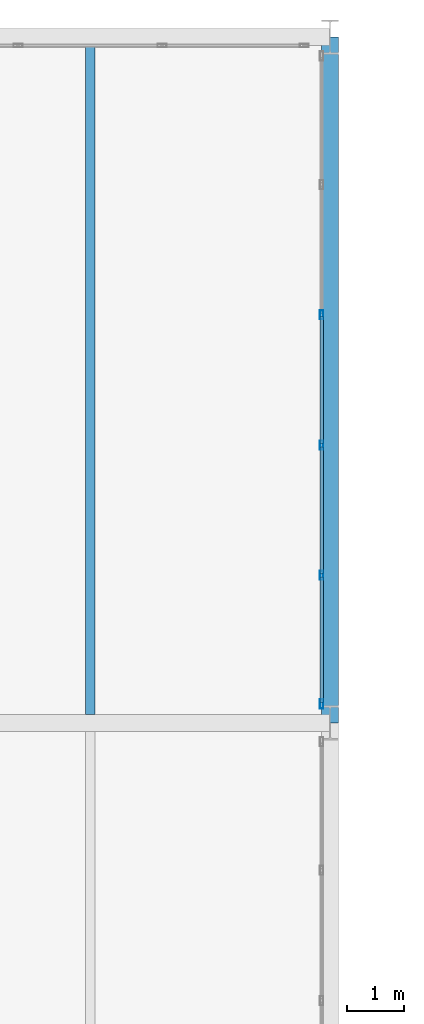
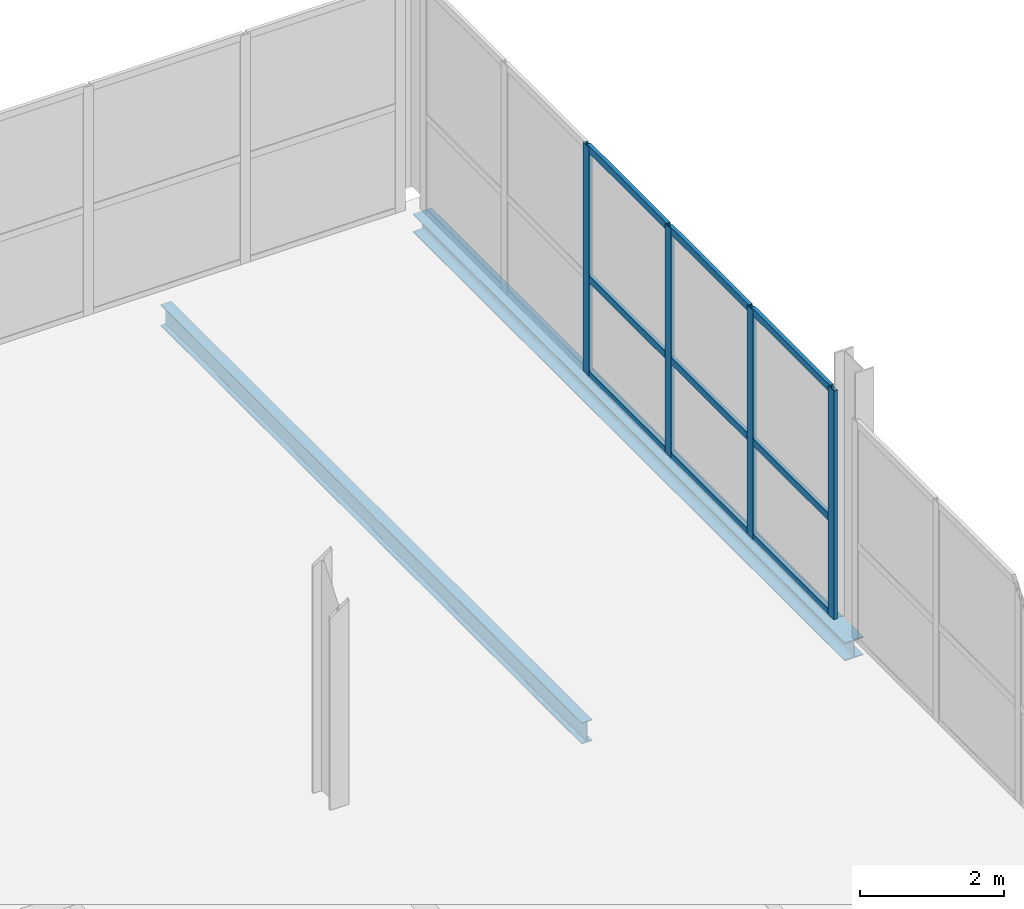
# One storey, part 59 of 109: 13 members, 2 beams, 1 element without a shape of its own.
"""IFC4 building model written with IfcOpenShell, lengths in metres."""

from ifc_helpers import new_model, si_unit, direction, frame, origin, origin_2d, place, context, subcontext, project, spatial, hollow_rectangle, i_section, extrude, material, material_profile, profile_set, type_object, element, aggregate, save


model = new_model("IFC4")

# Units and contexts
model_context = context("Model", 3, precision=1e-05, world=origin(), true_north=direction((0.0, 1.0)))
body_context = subcontext(model_context, "Body", "Model", "MODEL_VIEW")
ifc_project = project(units=[si_unit("LENGTHUNIT", "METRE"), si_unit("AREAUNIT", "SQUARE_METRE"), si_unit("VOLUMEUNIT", "CUBIC_METRE"), si_unit("PLANEANGLEUNIT", "RADIAN"), si_unit("MASSUNIT", "GRAM", prefix="KILO")], contexts=[model_context])

# Site, building, storey
site_placement = place(None, origin())
site = spatial("IfcSite", under=ifc_project, at=site_placement, CompositionType="ELEMENT")
building_placement = place(site_placement, origin())
building = spatial("IfcBuilding", under=site, at=building_placement, Name="Veltarok Museum of Natural Sciences", CompositionType="ELEMENT")
storey_placement = place(building_placement, frame((0.0, 0.0, 17.39990234375)))
storey = spatial("IfcBuildingStorey", under=building, at=storey_placement, Name="L03", CompositionType="ELEMENT", Elevation=17.39990234375)

# Curtain wall, members
ifc_material_1 = material(Name="Low-iron triple insulated glass", Category="glass")
curtain_wall_type = type_object("IfcCurtainWallType", Name="Curtain Wall System CW-V2E-L03-0-1140x388 (CW-V2E L03 1140x388cm)", PredefinedType="NOTDEFINED", material=ifc_material_1)
curtain_wall_placement = place(storey_placement, origin())
curtain_wall = element("IfcCurtainWall", 1, at=curtain_wall_placement, inside=storey, type_object=curtain_wall_type, Name="Curtain Wall CW-V2E-L03-0-1140x388 CW-0136", PredefinedType="NOTDEFINED")
ifc_material_2 = material(Name="Thermally broken anodised aluminium", Category="aluminium")
ifc_material_profile_1 = material_profile(ifc_material_2, hollow_rectangle(XDim=0.06005859375, YDim=0.1201171875, WallThickness=0.0048828125, at=origin_2d()), Name="CW TRANSOM 60x120x5")
ifc_profile_set_1 = profile_set([ifc_material_profile_1], Name="Thermally broken anodised aluminium")
member_type_1 = type_object("IfcMemberType", Name="Curtain Wall Horizontal Transom 60x120x5", PredefinedType="USERDEFINED", material=ifc_profile_set_1)
member_1_placement = place(storey_placement, frame((98.64990234375, 60.360107421875, 0.028076171875), z_axis=(0.0, 1.0, 0.0), x_axis=(-1.0, 0.0, 0.0)))
member_1 = element("IfcMember", 2, at=member_1_placement, type_object=member_type_1, Name="CW-V2E-L03-0-1140x388 transom 1.1", ObjectType="TRANSOM", PredefinedType="USERDEFINED", context=body_context, shape_type="SweptSolid", body=[
    extrude(hollow_rectangle(XDim=0.06005859375, YDim=0.1201171875, WallThickness=0.0048828125, at=origin_2d()), origin(), (0.0, 0.0, 1.0), 2.18994140625),
])
member_2_placement = place(storey_placement, frame((98.64990234375, 60.360107421875, 1.648193359375), z_axis=(0.0, 1.0, 0.0), x_axis=(-1.0, 0.0, 0.0)))
member_2 = element("IfcMember", 3, at=member_2_placement, type_object=member_type_1, Name="CW-V2E-L03-0-1140x388 transom 1.2", ObjectType="TRANSOM", PredefinedType="USERDEFINED", context=body_context, shape_type="SweptSolid", body=[
    extrude(hollow_rectangle(XDim=0.06005859375, YDim=0.1201171875, WallThickness=0.0048828125, at=origin_2d()), origin(), (0.0, 0.0, 1.0), 2.18994140625),
])
member_3_placement = place(storey_placement, frame((98.64990234375, 60.360107421875, 3.85009765625), z_axis=(0.0, 1.0, 0.0), x_axis=(-1.0, 0.0, 0.0)))
member_3 = element("IfcMember", 4, at=member_3_placement, type_object=member_type_1, Name="CW-V2E-L03-0-1140x388 transom 1.3", ObjectType="TRANSOM", PredefinedType="USERDEFINED", context=body_context, shape_type="SweptSolid", body=[
    extrude(hollow_rectangle(XDim=0.06005859375, YDim=0.1201171875, WallThickness=0.0048828125, at=origin_2d()), origin(), (0.0, 0.0, 1.0), 2.18994140625),
])
member_4_placement = place(storey_placement, frame((98.64990234375, 62.610107421875, 0.028076171875), z_axis=(0.0, 1.0, 0.0), x_axis=(-1.0, 0.0, 0.0)))
member_4 = element("IfcMember", 5, at=member_4_placement, type_object=member_type_1, Name="CW-V2E-L03-0-1140x388 transom 2.1", ObjectType="TRANSOM", PredefinedType="USERDEFINED", context=body_context, shape_type="SweptSolid", body=[
    extrude(hollow_rectangle(XDim=0.06005859375, YDim=0.1201171875, WallThickness=0.0048828125, at=origin_2d()), origin(), (0.0, 0.0, 1.0), 2.219970703125),
])
member_5_placement = place(storey_placement, frame((98.64990234375, 62.610107421875, 1.648193359375), z_axis=(0.0, 1.0, 0.0), x_axis=(-1.0, 0.0, 0.0)))
member_5 = element("IfcMember", 6, at=member_5_placement, type_object=member_type_1, Name="CW-V2E-L03-0-1140x388 transom 2.2", ObjectType="TRANSOM", PredefinedType="USERDEFINED", context=body_context, shape_type="SweptSolid", body=[
    extrude(hollow_rectangle(XDim=0.06005859375, YDim=0.1201171875, WallThickness=0.0048828125, at=origin_2d()), origin(), (0.0, 0.0, 1.0), 2.219970703125),
])
member_6_placement = place(storey_placement, frame((98.64990234375, 62.610107421875, 3.85009765625), z_axis=(0.0, 1.0, 0.0), x_axis=(-1.0, 0.0, 0.0)))
member_6 = element("IfcMember", 7, at=member_6_placement, type_object=member_type_1, Name="CW-V2E-L03-0-1140x388 transom 2.3", ObjectType="TRANSOM", PredefinedType="USERDEFINED", context=body_context, shape_type="SweptSolid", body=[
    extrude(hollow_rectangle(XDim=0.06005859375, YDim=0.1201171875, WallThickness=0.0048828125, at=origin_2d()), origin(), (0.0, 0.0, 1.0), 2.219970703125),
])
member_7_placement = place(storey_placement, frame((98.64990234375, 64.889892578125, 0.028076171875), z_axis=(0.0, 1.0, 0.0), x_axis=(-1.0, 0.0, 0.0)))
member_7 = element("IfcMember", 8, at=member_7_placement, type_object=member_type_1, Name="CW-V2E-L03-0-1140x388 transom 3.1", ObjectType="TRANSOM", PredefinedType="USERDEFINED", context=body_context, shape_type="SweptSolid", body=[
    extrude(hollow_rectangle(XDim=0.06005859375, YDim=0.1201171875, WallThickness=0.0048828125, at=origin_2d()), origin(), (0.0, 0.0, 1.0), 2.22021484375),
])
member_8_placement = place(storey_placement, frame((98.64990234375, 64.889892578125, 1.648193359375), z_axis=(0.0, 1.0, 0.0), x_axis=(-1.0, 0.0, 0.0)))
member_8 = element("IfcMember", 9, at=member_8_placement, type_object=member_type_1, Name="CW-V2E-L03-0-1140x388 transom 3.2", ObjectType="TRANSOM", PredefinedType="USERDEFINED", context=body_context, shape_type="SweptSolid", body=[
    extrude(hollow_rectangle(XDim=0.06005859375, YDim=0.1201171875, WallThickness=0.0048828125, at=origin_2d()), origin(), (0.0, 0.0, 1.0), 2.22021484375),
])
member_9_placement = place(storey_placement, frame((98.64990234375, 64.889892578125, 3.85009765625), z_axis=(0.0, 1.0, 0.0), x_axis=(-1.0, 0.0, 0.0)))
member_9 = element("IfcMember", 10, at=member_9_placement, type_object=member_type_1, Name="CW-V2E-L03-0-1140x388 transom 3.3", ObjectType="TRANSOM", PredefinedType="USERDEFINED", context=body_context, shape_type="SweptSolid", body=[
    extrude(hollow_rectangle(XDim=0.06005859375, YDim=0.1201171875, WallThickness=0.0048828125, at=origin_2d()), origin(), (0.0, 0.0, 1.0), 2.22021484375),
])
ifc_material_profile_2 = material_profile(ifc_material_2, hollow_rectangle(XDim=0.06005859375, YDim=0.159912109375, WallThickness=0.0048828125, at=origin_2d()), Name="CW MULLION 60x160x5")
ifc_profile_set_2 = profile_set([ifc_material_profile_2], Name="Thermally broken anodised aluminium")
member_type_2 = type_object("IfcMemberType", Name="Curtain Wall Vertical Mullion 60x160x5", PredefinedType="MULLION", material=ifc_profile_set_2)
member_10_placement = place(storey_placement, frame((98.64990234375, 60.330078125, -0.001953125), z_axis=(0.0, 0.0, 1.0), x_axis=(-1.0, 0.0, 0.0)))
member_10 = element("IfcMember", 11, at=member_10_placement, type_object=member_type_2, Name="CW-V2E-L03-0-1140x388 mullion 1", PredefinedType="MULLION", context=body_context, shape_type="SweptSolid", body=[
    extrude(hollow_rectangle(XDim=0.06005859375, YDim=0.159912109375, WallThickness=0.0048828125, at=origin_2d()), origin(), (0.0, 0.0, 1.0), 3.882080078125),
])
member_11_placement = place(storey_placement, frame((98.64990234375, 62.580078125, -0.001953125), z_axis=(0.0, 0.0, 1.0), x_axis=(-1.0, 0.0, 0.0)))
member_11 = element("IfcMember", 12, at=member_11_placement, type_object=member_type_2, Name="CW-V2E-L03-0-1140x388 mullion 2", PredefinedType="MULLION", context=body_context, shape_type="SweptSolid", body=[
    extrude(hollow_rectangle(XDim=0.06005859375, YDim=0.159912109375, WallThickness=0.0048828125, at=origin_2d()), origin(), (0.0, 0.0, 1.0), 3.882080078125),
])
member_12_placement = place(storey_placement, frame((98.64990234375, 64.860107421875, -0.001953125), z_axis=(0.0, 0.0, 1.0), x_axis=(-1.0, 0.0, 0.0)))
member_12 = element("IfcMember", 13, at=member_12_placement, type_object=member_type_2, Name="CW-V2E-L03-0-1140x388 mullion 3", PredefinedType="MULLION", context=body_context, shape_type="SweptSolid", body=[
    extrude(hollow_rectangle(XDim=0.06005859375, YDim=0.159912109375, WallThickness=0.0048828125, at=origin_2d()), origin(), (0.0, 0.0, 1.0), 3.882080078125),
])
member_13_placement = place(storey_placement, frame((98.64990234375, 67.139892578125, -0.001953125), z_axis=(0.0, 0.0, 1.0), x_axis=(-1.0, 0.0, 0.0)))
member_13 = element("IfcMember", 14, at=member_13_placement, type_object=member_type_2, Name="CW-V2E-L03-0-1140x388 mullion 4", PredefinedType="MULLION", context=body_context, shape_type="SweptSolid", body=[
    extrude(hollow_rectangle(XDim=0.06005859375, YDim=0.159912109375, WallThickness=0.0048828125, at=origin_2d()), origin(), (0.0, 0.0, 1.0), 3.882080078125),
])
aggregate(curtain_wall, [member_10, member_11, member_12, member_13, member_1, member_2, member_3, member_4, member_5, member_6, member_7, member_8, member_9])

# Beams
ifc_material_3 = material(Name="Steel S355J2", Category="steel")
ifc_material_profile_3 = material_profile(ifc_material_3, i_section(OverallWidth=0.169921875, OverallDepth=0.360107421875, WebThickness=0.008056640625, FlangeThickness=0.0126953125, FilletRadius=0.01806640625, at=origin_2d()), Name="IPE 360")
ifc_profile_set_3 = profile_set([ifc_material_profile_3], Name="Steel S355J2")
beam_type_1 = type_object("IfcBeamType", Name="Long-Bay Composite Joist IPE 360", PredefinedType="JOIST", material=ifc_profile_set_3)
beam_1_placement = place(storey_placement, frame((94.60009765625, 60.14794921875, -0.429931640625), z_axis=(0.0, 1.0, 0.0), x_axis=(-1.0, 0.0, 0.0)))
element("IfcBeam", 15, at=beam_1_placement, inside=storey, type_object=beam_type_1, Name="Secondary Joist BM-J01 L03 11-12/G-H.1", PredefinedType="JOIST", context=body_context, shape_type="SweptSolid", body=[
    extrude(i_section(OverallWidth=0.169921875, OverallDepth=0.360107421875, WebThickness=0.008056640625, FlangeThickness=0.0126953125, FilletRadius=0.01806640625, at=origin_2d()), origin(), (0.0, 0.0, 1.0), 11.7041015625),
])
ifc_material_profile_4 = material_profile(ifc_material_3, i_section(OverallWidth=0.300048828125, OverallDepth=0.31005859375, WebThickness=0.009033203125, FlangeThickness=0.015380859375, FilletRadius=0.027099609375, at=origin_2d()), Name="HEA 320")
ifc_profile_set_4 = profile_set([ifc_material_profile_4], Name="Steel S355J2")
beam_type_2 = type_object("IfcBeamType", Name="Perimeter Edge Spandrel HEA 320", PredefinedType="SPANDREL", material=ifc_profile_set_4)
beam_2_placement = place(storey_placement, frame((98.800048828125, 60.0, -0.40478515625), z_axis=(0.0, 1.0, 0.0), x_axis=(-1.0, 0.0, 0.0)))
element("IfcBeam", 16, at=beam_2_placement, inside=storey, type_object=beam_type_2, Name="Beam BM-SP04 L03 12/G-H", PredefinedType="SPANDREL", context=body_context, shape_type="SweptSolid", body=[
    extrude(i_section(OverallWidth=0.300048828125, OverallDepth=0.31005859375, WebThickness=0.009033203125, FlangeThickness=0.015380859375, FilletRadius=0.027099609375, at=origin_2d()), origin(), (0.0, 0.0, 1.0), 12.0),
])

save(model, "model.ifc")
